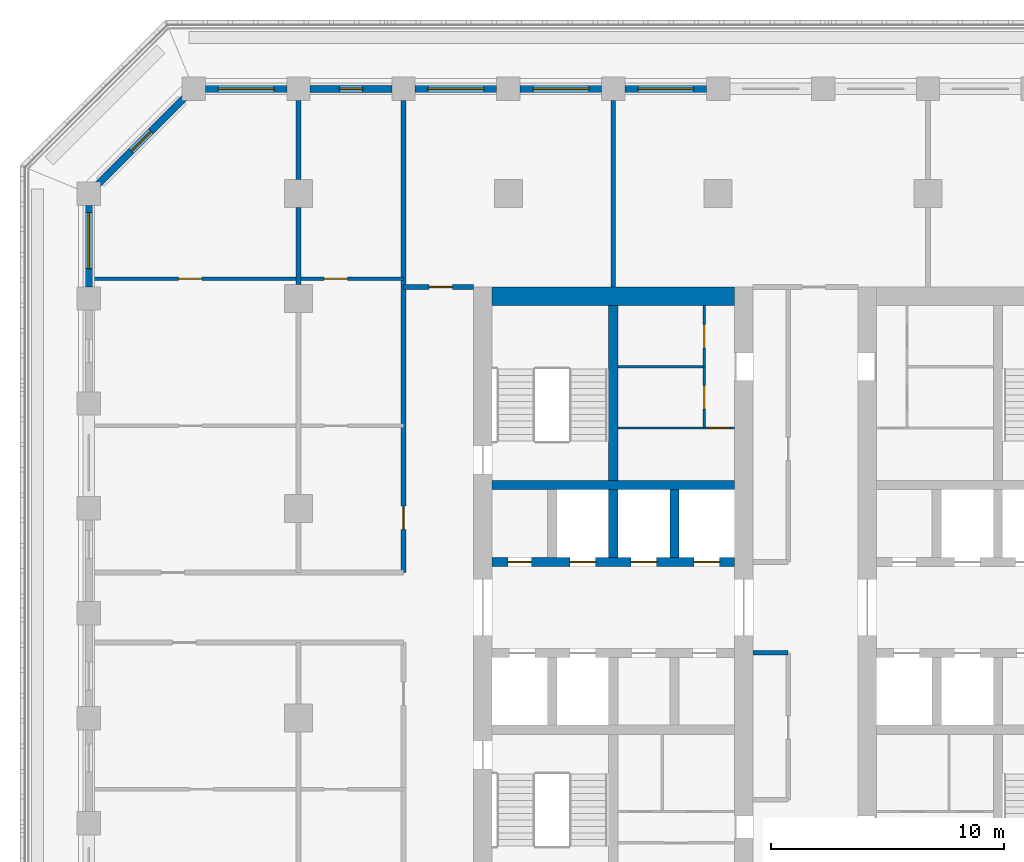
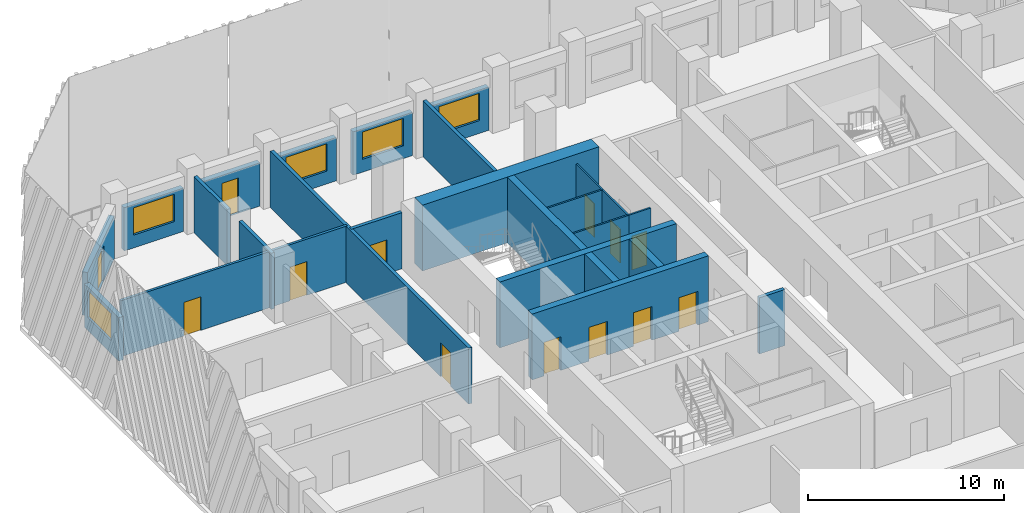
# One storey, part 6 of 18: 25 walls, 13 doors, 5 windows, 18 openings.
"""IFC4 building model written with IfcOpenShell, lengths in metres."""

import ifcopenshell
import ifcopenshell.guid

model = None  # the IFC model being written
_history = None  # IfcOwnerHistory: only IFC2X3 demands one
_inside = {}  # id of a spatial element -> (the spatial element, [elements in it])
_under = {}  # id of a project, library or spatial element -> (it, [spatial elements below it])
_declared = {}  # id of a project -> (the project, [libraries it declares])
_typed = {}  # id of a type object -> (the type object, [elements of that type])
_made_of = {}  # id of a material, layer set ... -> (it, [elements and type objects made of it])


def new_model(schema):
    """Start an empty IFC model of exactly this schema.

    Asked for "IFC4X3", IfcOpenShell would pick the latest addendum, in which some entities
    have other attributes; the version numbers below select the first issue.
    IFC2X3 requires an IfcOwnerHistory on every rooted entity: one is made here for all.
    """
    global model, _history
    if schema == "IFC4X3":
        model = ifcopenshell.file(schema_version=(4, 3, 0, 0))
    else:
        model = ifcopenshell.file(schema=schema)
    _inside.clear()
    _under.clear()
    _declared.clear()
    _typed.clear()
    _made_of.clear()
    _history = None
    if model.schema == "IFC2X3":
        org = make("IfcOrganization", Name="unknown")
        user = make(
            "IfcPersonAndOrganization",
            ThePerson=make("IfcPerson", FamilyName="unknown"),
            TheOrganization=org,
        )
        app = make(
            "IfcApplication",
            ApplicationDeveloper=org,
            Version="unknown",
            ApplicationFullName="unknown",
            ApplicationIdentifier="unknown",
        )
        _history = make(
            "IfcOwnerHistory",
            OwningUser=user,
            OwningApplication=app,
            ChangeAction="ADDED",
            CreationDate=0,
        )
    return model


def make(cls, **values):
    """One entity of the class cls with the attributes given. An attribute that is None is left unset."""
    return model.create_entity(
        cls, **{name: value for name, value in values.items() if value is not None}
    )


def rooted(cls, **values):
    """An entity with a GlobalId (a new one), such as an element, a storey or a relation."""
    return make(cls, GlobalId=ifcopenshell.guid.new(), OwnerHistory=_history, **values)


def si_unit(unit_type, name, prefix=None):
    """IfcSIUnit, for example si_unit("LENGTHUNIT", "METRE", prefix="MILLI")."""
    return make("IfcSIUnit", UnitType=unit_type, Prefix=prefix, Name=name)


def assignment(units):
    """IfcUnitAssignment: the units of a project."""
    return None if units is None else make("IfcUnitAssignment", Units=units)


def point(xyz):
    """IfcCartesianPoint."""
    return None if xyz is None else make("IfcCartesianPoint", Coordinates=xyz)


def direction(xyz):
    """IfcDirection."""
    return None if xyz is None else make("IfcDirection", DirectionRatios=xyz)


def frame(location, z_axis=None, x_axis=None):
    """IfcAxis2Placement3D, a coordinate frame: its origin and axes. An axis left out is left unset."""
    return make(
        "IfcAxis2Placement3D",
        Location=point(location),
        Axis=direction(z_axis),
        RefDirection=direction(x_axis),
    )


def frame_2d(location, x_axis=None):
    """IfcAxis2Placement2D, a coordinate frame in the plane: its origin and x axis."""
    return make(
        "IfcAxis2Placement2D", Location=point(location), RefDirection=direction(x_axis)
    )


def origin():
    """The frame at (0, 0, 0) with its axes left unset."""
    return frame((0.0, 0.0, 0.0))


def place(relative_to, where):
    """IfcLocalPlacement: puts the frame where relative to a parent placement (None: the world)."""
    return make(
        "IfcLocalPlacement", PlacementRelTo=relative_to, RelativePlacement=where
    )


def context(
    kind, dimensions, precision=None, world=None, true_north=None, identifier=None
):
    """IfcGeometricRepresentationContext, for example the 3D "Model" context."""
    return make(
        "IfcGeometricRepresentationContext",
        ContextIdentifier=identifier,
        ContextType=kind,
        CoordinateSpaceDimension=dimensions,
        Precision=precision,
        WorldCoordinateSystem=world,
        TrueNorth=true_north,
    )


def subcontext(parent, identifier, kind, view, scale=None):
    """IfcGeometricRepresentationSubContext, for example "Body" below "Model"."""
    return make(
        "IfcGeometricRepresentationSubContext",
        ContextIdentifier=identifier,
        ContextType=kind,
        ParentContext=parent,
        TargetScale=scale,
        TargetView=view,
    )


def project(units=None, contexts=None):
    """IfcProject with its units and contexts."""
    return rooted(
        "IfcProject",
        Name="project",
        RepresentationContexts=contexts,
        UnitsInContext=assignment(units),
    )


def spatial(cls, under=None, at=None, **own):
    """A site, building, storey or space (cls), placed at a placement, below another one or the project."""
    s = rooted(cls, ObjectPlacement=at, **own)
    if under is not None:
        _under.setdefault(under.id(), (under, []))[1].append(s)
    return s


def profile(cls, at=None, kind="AREA", **sizes):
    """A parametric profile (cls). Its sizes go by their IFC names, for example OverallWidth=200.0."""
    return make(cls, ProfileType=kind, Position=at, **sizes)


def rectangle(**sizes):
    """IfcRectangleProfileDef."""
    return profile("IfcRectangleProfileDef", **sizes)


def extrude(swept, where, along, depth):
    """IfcExtrudedAreaSolid: the profile swept, set in the frame where, extruded along a direction by depth."""
    return make(
        "IfcExtrudedAreaSolid",
        SweptArea=swept,
        Position=where,
        ExtrudedDirection=direction(along),
        Depth=depth,
    )


def shape(context_of_items, identifier, shape_type, items):
    """IfcShapeRepresentation: the items that make up one representation, for example the "Body"."""
    return make(
        "IfcShapeRepresentation",
        ContextOfItems=context_of_items,
        RepresentationIdentifier=identifier,
        RepresentationType=shape_type,
        Items=items,
    )


def material(Name=None, Category=None):
    """IfcMaterial."""
    return make("IfcMaterial", Name=Name, Category=Category)


def layer(
    of_material, thickness, ventilated=None, Name=None, Category=None, Priority=None
):
    """IfcMaterialLayer: one layer of a wall or slab, of a material (None: an air gap)."""
    return make(
        "IfcMaterialLayer",
        Material=of_material,
        LayerThickness=thickness,
        IsVentilated=ventilated,
        Name=Name,
        Category=Category,
        Priority=Priority,
    )


def layer_set(layers, Name=None):
    """IfcMaterialLayerSet."""
    return make("IfcMaterialLayerSet", MaterialLayers=layers, LayerSetName=Name)


def made_of(thing, what):
    """Note that an element or type object is made of a material, layer set ...; save() writes the relation."""
    if what is not None:
        _made_of.setdefault(what.id(), (what, []))[1].append(thing)
    return thing


def type_object(cls, material=None, **own):
    """A type object (cls), such as IfcWallType, which elements share."""
    return made_of(rooted(cls, **own), material)


def element(
    cls,
    number,
    at=None,
    inside=None,
    cuts=None,
    type_object=None,
    material=None,
    context=None,
    identifier="Body",
    shape_type=None,
    held_by="IfcProductDefinitionShape",
    body=None,
    shapes=None,
    **own,
):
    """One element of the class cls, such as IfcWall. Its Tag is "e" and its number.

    at: its placement. inside: the storey or other place that contains it. cuts: it is an
    opening in that element (IfcRelVoidsElement). A single representation is given by context,
    identifier, shape_type and body (its items); several are given by shapes. held_by: the class
    of the entity that holds the representations. save() writes the other relations.
    """
    e = rooted(cls, Tag="e%d" % number, ObjectPlacement=at, **own)
    if body is not None:
        shapes = [shape(context, identifier, shape_type, body)]
    if shapes is not None:
        e.Representation = make(held_by, Representations=shapes)
    if inside is not None:
        _inside.setdefault(inside.id(), (inside, []))[1].append(e)
    if cuts is not None:
        rooted(
            "IfcRelVoidsElement", RelatingBuildingElement=cuts, RelatedOpeningElement=e
        )
    if type_object is not None:
        _typed.setdefault(type_object.id(), (type_object, []))[1].append(e)
    return made_of(e, material)


def fill(opening, filler):
    """IfcRelFillsElement: the door or window that sits in an opening."""
    return rooted(
        "IfcRelFillsElement",
        RelatingOpeningElement=opening,
        RelatedBuildingElement=filler,
    )


def aggregate(whole, parts):
    """IfcRelAggregates: a whole, such as a stair, and the parts it consists of."""
    return rooted("IfcRelAggregates", RelatingObject=whole, RelatedObjects=parts)


def save(model, path):
    """Write the relations noted so far, then the file.

    IfcRelAggregates (storeys below a building ...), IfcRelContainedInSpatialStructure (elements
    in a storey), IfcRelDefinesByType, IfcRelAssociatesMaterial and IfcRelDeclares: one each for
    every whole, place, type object, material and project.
    """
    for whole, parts in _under.values():
        aggregate(whole, parts)
    for where, things in _inside.values():
        rooted(
            "IfcRelContainedInSpatialStructure",
            RelatedElements=things,
            RelatingStructure=where,
        )
    for kind, things in _typed.values():
        rooted("IfcRelDefinesByType", RelatedObjects=things, RelatingType=kind)
    for what, things in _made_of.values():
        rooted("IfcRelAssociatesMaterial", RelatedObjects=things, RelatingMaterial=what)
    for by, libraries in _declared.values():
        rooted("IfcRelDeclares", RelatingContext=by, RelatedDefinitions=libraries)
    model.write(path)


model = new_model("IFC4")

# Units and contexts
model_context = context("Model", 3, precision=1e-05, world=origin(), true_north=direction((0.0, 1.0)))
body_context = subcontext(model_context, "Body", "Model", "MODEL_VIEW")
ifc_project = project(units=[si_unit("LENGTHUNIT", "METRE"), si_unit("AREAUNIT", "SQUARE_METRE"), si_unit("VOLUMEUNIT", "CUBIC_METRE"), si_unit("PLANEANGLEUNIT", "RADIAN"), si_unit("MASSUNIT", "GRAM", prefix="KILO")], contexts=[model_context])

# Site, building, storey
site_placement = place(None, origin())
site = spatial("IfcSite", under=ifc_project, at=site_placement, CompositionType="ELEMENT")
building_placement = place(site_placement, origin())
building = spatial("IfcBuilding", under=site, at=building_placement, Name="Corbel Stack Research Tower", CompositionType="ELEMENT")
storey_placement = place(building_placement, frame((0.0, 0.0, 181.39990234375)))
storey = spatial("IfcBuildingStorey", under=building, at=storey_placement, Name="L41", CompositionType="ELEMENT", Elevation=181.39990234375)

# Wall, openings, doors
ifc_material_1 = material(Name="Concrete C60/75", Category="concrete")
ifc_layer_1 = layer(ifc_material_1, 0.39990234375)
ifc_layer_set_1 = layer_set([ifc_layer_1], Name="Concrete C60/75")
wall_type_1 = type_object("IfcWallType", Name="CW-400-60", PredefinedType="SHEAR", material=ifc_layer_set_1)
wall_1_placement = place(storey_placement, frame((-9.699951171875, 6.699951171875, 0.0), z_axis=(0.0, 0.0, 1.0), x_axis=(1.0, 0.0, 0.0)))
wall_1 = element("IfcWall", 1, at=wall_1_placement, inside=storey, type_object=wall_type_1, Name="West core wall, lobby north L41", PredefinedType="SHEAR", context=body_context, shape_type="SweptSolid", body=[
    extrude(rectangle(XDim=10.39990234375, YDim=0.39990234375, at=frame_2d((5.199951171875, 0.0))), origin(), (0.0, 0.0, 1.0), 4.10009765625),
])
opening_1_placement = place(wall_1_placement, frame((3.33740234375, 0.0, 0.0)))
opening_1 = element("IfcOpeningElement", 2, at=opening_1_placement, cuts=wall_1, Name="Opening LD-HR1", PredefinedType="OPENING", context=body_context, shape_type="SweptSolid", body=[
    extrude(rectangle(XDim=1.10009765625, YDim=2.10009765625, at=frame_2d((0.550048828125, 1.050048828125))), frame((0.0, 0.2099609375, 0.0), z_axis=(0.0, -1.0, 0.0), x_axis=(1.0, 0.0, 0.0)), (0.0, 0.0, 1.0), 0.419921875),
])
opening_2_placement = place(wall_1_placement, frame((5.96240234375, 0.0, 0.0)))
opening_2 = element("IfcOpeningElement", 3, at=opening_2_placement, cuts=wall_1, Name="Opening LD-HR2", PredefinedType="OPENING", context=body_context, shape_type="SweptSolid", body=[
    extrude(rectangle(XDim=1.10009765625, YDim=2.10009765625, at=frame_2d((0.550048828125, 1.050048828125))), frame((0.0, 0.2099609375, 0.0), z_axis=(0.0, -1.0, 0.0), x_axis=(1.0, 0.0, 0.0)), (0.0, 0.0, 1.0), 0.419921875),
])
opening_3_placement = place(wall_1_placement, frame((8.66259765625, 0.0, 0.0)))
opening_3 = element("IfcOpeningElement", 4, at=opening_3_placement, cuts=wall_1, Name="Opening LD-HR3", PredefinedType="OPENING", context=body_context, shape_type="SweptSolid", body=[
    extrude(rectangle(XDim=1.10009765625, YDim=2.10009765625, at=frame_2d((0.550048828125, 1.050048828125))), frame((0.0, 0.2099609375, 0.0), z_axis=(0.0, -1.0, 0.0), x_axis=(1.0, 0.0, 0.0)), (0.0, 0.0, 1.0), 0.419921875),
])
opening_4_placement = place(wall_1_placement, frame((0.6875, 0.0, 0.0)))
opening_4 = element("IfcOpeningElement", 5, at=opening_4_placement, cuts=wall_1, Name="Opening CR-W24-N1", PredefinedType="OPENING", context=body_context, shape_type="SweptSolid", body=[
    extrude(rectangle(XDim=1.0, YDim=2.10009765625, at=frame_2d((0.5, 1.050048828125))), frame((0.0, 0.2099609375, 0.0), z_axis=(0.0, -1.0, 0.0), x_axis=(1.0, 0.0, 0.0)), (0.0, 0.0, 1.0), 0.419921875),
])
ifc_material_2 = material(Name="Stainless steel landing door", Category="steel")
door_type_1 = type_object("IfcDoorType", Name="Lift landing door 1100 x 2100", OperationType="DOUBLE_DOOR_SLIDING", PredefinedType="DOOR", material=ifc_material_2)
door_1_placement = place(opening_1_placement, origin())
door_1 = element("IfcDoor", 6, at=door_1_placement, inside=storey, type_object=door_type_1, Name="Landing door HR1", OperationType="DOUBLE_DOOR_SLIDING", OverallHeight=2.10009765625, OverallWidth=1.10009765625, PredefinedType="DOOR", context=body_context, shape_type="SweptSolid", body=[
    extrude(rectangle(XDim=1.10009765625, YDim=2.10009765625, at=frame_2d((0.550048828125, 1.050048828125))), frame((0.0, 0.02490234375, 0.0), z_axis=(0.0, -1.0, 0.0), x_axis=(1.0, 0.0, 0.0)), (0.0, 0.0, 1.0), 0.050048828125),
])
fill(opening_1, door_1)
door_2_placement = place(opening_2_placement, origin())
door_2 = element("IfcDoor", 7, at=door_2_placement, inside=storey, type_object=door_type_1, Name="Landing door HR2", OperationType="DOUBLE_DOOR_SLIDING", OverallHeight=2.10009765625, OverallWidth=1.10009765625, PredefinedType="DOOR", context=body_context, shape_type="SweptSolid", body=[
    extrude(rectangle(XDim=1.10009765625, YDim=2.10009765625, at=frame_2d((0.550048828125, 1.050048828125))), frame((0.0, 0.02490234375, 0.0), z_axis=(0.0, -1.0, 0.0), x_axis=(1.0, 0.0, 0.0)), (0.0, 0.0, 1.0), 0.050048828125),
])
fill(opening_2, door_2)
door_3_placement = place(opening_3_placement, origin())
door_3 = element("IfcDoor", 8, at=door_3_placement, inside=storey, type_object=door_type_1, Name="Landing door HR3", OperationType="DOUBLE_DOOR_SLIDING", OverallHeight=2.10009765625, OverallWidth=1.10009765625, PredefinedType="DOOR", context=body_context, shape_type="SweptSolid", body=[
    extrude(rectangle(XDim=1.10009765625, YDim=2.10009765625, at=frame_2d((0.550048828125, 1.050048828125))), frame((0.0, 0.02490234375, 0.0), z_axis=(0.0, -1.0, 0.0), x_axis=(1.0, 0.0, 0.0)), (0.0, 0.0, 1.0), 0.050048828125),
])
fill(opening_3, door_3)
ifc_material_3 = material(Name="Painted steel door", Category="steel")
door_type_2 = type_object("IfcDoorType", Name="Service door 1000 x 2100 FD60 left hand", OperationType="SINGLE_SWING_LEFT", PredefinedType="DOOR", material=ifc_material_3)
door_4_placement = place(opening_4_placement, origin())
door_4 = element("IfcDoor", 9, at=door_4_placement, inside=storey, type_object=door_type_2, Name="Cleaner's store door W core", OperationType="SINGLE_SWING_LEFT", OverallHeight=2.10009765625, OverallWidth=1.0, PredefinedType="DOOR", context=body_context, shape_type="SweptSolid", body=[
    extrude(rectangle(XDim=1.0, YDim=2.10009765625, at=frame_2d((0.5, 1.050048828125))), frame((0.0, 0.02490234375, 0.0), z_axis=(0.0, -1.0, 0.0), x_axis=(1.0, 0.0, 0.0)), (0.0, 0.0, 1.0), 0.050048828125),
])
fill(opening_4, door_4)

# Walls
wall_2_placement = place(storey_placement, frame((-9.699951171875, 10.0, 0.0), z_axis=(0.0, 0.0, 1.0), x_axis=(1.0, 0.0, 0.0)))
element("IfcWall", 10, at=wall_2_placement, inside=storey, type_object=wall_type_1, Name="West core wall, north row back L41", PredefinedType="SHEAR", context=body_context, shape_type="SweptSolid", body=[
    extrude(rectangle(XDim=10.39990234375, YDim=0.39990234375, at=frame_2d((5.199951171875, 0.0))), origin(), (0.0, 0.0, 1.0), 4.10009765625),
])
for number, where, z_axis, x_axis, name in (
    (11, (-4.5, 6.89990234375, 0.0), (0.0, 0.0, 1.0), (0.0, 1.0, 0.0), "West core wall, north shaft 2 L41"),
    (12, (-1.875, 6.89990234375, 0.0), (0.0, 0.0, 1.0), (0.0, 1.0, 0.0), "West core wall, north shaft 3 L41"),
):
    element("IfcWall", number, at=place(storey_placement, frame(where, z_axis=z_axis, x_axis=x_axis)), inside=storey, type_object=wall_type_1, Name=name, PredefinedType="SHEAR", context=body_context, shape_type="SweptSolid", body=[
        extrude(rectangle(XDim=2.900146484375, YDim=0.39990234375, at=frame_2d((1.4501953125, 0.0))), origin(), (0.0, 0.0, 1.0), 4.10009765625),
    ])
wall_3_placement = place(storey_placement, frame((-4.5, 10.199951171875, 0.0), z_axis=(0.0, 0.0, 1.0), x_axis=(0.0, 1.0, 0.0)))
element("IfcWall", 13, at=wall_3_placement, inside=storey, type_object=wall_type_1, Name="West core wall, north stair and riser L41", PredefinedType="SHEAR", context=body_context, shape_type="SweptSolid", body=[
    extrude(rectangle(XDim=7.5, YDim=0.39990234375, at=frame_2d((3.75, 0.0))), origin(), (0.0, 0.0, 1.0), 4.10009765625),
])
ifc_material_4 = material(Name="Concrete C60/75", Category="concrete")
ifc_layer_2 = layer(ifc_material_4, 0.800048828125)
ifc_layer_set_2 = layer_set([ifc_layer_2], Name="Concrete C60/75")
wall_type_2 = type_object("IfcWallType", Name="CW-800-60", PredefinedType="SHEAR", material=ifc_layer_set_2)
wall_4_placement = place(storey_placement, frame((-9.699951171875, 18.10009765625, 0.0), z_axis=(0.0, 0.0, 1.0), x_axis=(1.0, 0.0, 0.0)))
element("IfcWall", 14, at=wall_4_placement, inside=storey, type_object=wall_type_2, Name="West core wall, north end L41", PredefinedType="SHEAR", context=body_context, shape_type="SweptSolid", body=[
    extrude(rectangle(XDim=10.39990234375, YDim=0.800048828125, at=frame_2d((5.199951171875, 0.0))), origin(), (0.0, 0.0, 1.0), 4.10009765625),
])

# Wall, opening, door
ifc_material_5 = material(Name="Gypsum board")
ifc_layer_3 = layer(ifc_material_5, 0.10009765625)
ifc_layer_set_3 = layer_set([ifc_layer_3], Name="Gypsum board")
wall_type_3 = type_object("IfcWallType", Name="Core partition 100", PredefinedType="PARTITIONING", material=ifc_layer_set_3)
wall_5_placement = place(storey_placement, frame((-0.60009765625, 12.449951171875, 0.0), z_axis=(0.0, 0.0, 1.0), x_axis=(1.0, 0.0, 0.0)))
wall_5 = element("IfcWall", 15, at=wall_5_placement, inside=storey, type_object=wall_type_3, Name="Core partition W", PredefinedType="PARTITIONING", context=body_context, shape_type="SweptSolid", body=[
    extrude(rectangle(XDim=1.300048828125, YDim=0.10009765625, at=frame_2d((0.64990234375, 0.0))), origin(), (0.0, 0.0, 1.0), 3.5),
])
opening_5_placement = place(wall_5_placement, frame((0.199951171875, 0.0, 0.0)))
opening_5 = element("IfcOpeningElement", 16, at=opening_5_placement, cuts=wall_5, Name="Opening CR-W24-R1-900", PredefinedType="OPENING", context=body_context, shape_type="SweptSolid", body=[
    extrude(rectangle(XDim=0.89990234375, YDim=2.10009765625, at=frame_2d((0.449951171875, 1.050048828125))), frame((0.0, 0.06005859375, 0.0), z_axis=(0.0, -1.0, 0.0), x_axis=(1.0, 0.0, 0.0)), (0.0, 0.0, 1.0), 0.1201171875),
])
ifc_material_6 = material(Name="Painted steel door", Category="steel")
door_type_3 = type_object("IfcDoorType", Name="Riser door 900 x 2100 FD60 left hand", OperationType="SINGLE_SWING_LEFT", PredefinedType="DOOR", material=ifc_material_6)
door_5_placement = place(opening_5_placement, origin())
door_5 = element("IfcDoor", 17, at=door_5_placement, inside=storey, type_object=door_type_3, Name="Electrical riser door W core", OperationType="SINGLE_SWING_LEFT", OverallHeight=2.10009765625, OverallWidth=0.89990234375, PredefinedType="DOOR", context=body_context, shape_type="SweptSolid", body=[
    extrude(rectangle(XDim=0.89990234375, YDim=2.10009765625, at=frame_2d((0.449951171875, 1.050048828125))), frame((0.0, 0.02490234375, 0.0), z_axis=(0.0, -1.0, 0.0), x_axis=(1.0, 0.0, 0.0)), (0.0, 0.0, 1.0), 0.050048828125),
])
fill(opening_5, door_5)

# Wall
wall_6_placement = place(storey_placement, frame((-4.300048828125, 12.449951171875, 0.0), z_axis=(0.0, 0.0, 1.0), x_axis=(1.0, 0.0, 0.0)))
element("IfcWall", 18, at=wall_6_placement, inside=storey, type_object=wall_type_3, Name="Core partition W", PredefinedType="PARTITIONING", context=body_context, shape_type="SweptSolid", body=[
    extrude(rectangle(XDim=3.699951171875, YDim=0.10009765625, at=frame_2d((1.85009765625, 0.0))), origin(), (0.0, 0.0, 1.0), 3.5),
])

# Wall, opening, door
wall_7_placement = place(storey_placement, frame((-0.60009765625, 12.449951171875, 0.0), z_axis=(0.0, 0.0, 1.0), x_axis=(0.0, 1.0, 0.0)))
wall_7 = element("IfcWall", 19, at=wall_7_placement, inside=storey, type_object=wall_type_3, Name="Core partition W", PredefinedType="PARTITIONING", context=body_context, shape_type="SweptSolid", body=[
    extrude(rectangle(XDim=2.625, YDim=0.10009765625, at=frame_2d((1.3125, 0.0))), origin(), (0.0, 0.0, 1.0), 3.5),
])
opening_6_placement = place(wall_7_placement, frame((0.8125, 0.0, 0.0)))
opening_6 = element("IfcOpeningElement", 20, at=opening_6_placement, cuts=wall_7, Name="Opening CR-W24-R3-1000", PredefinedType="OPENING", context=body_context, shape_type="SweptSolid", body=[
    extrude(rectangle(XDim=1.0, YDim=2.10009765625, at=frame_2d((0.5, 1.050048828125))), frame((0.0, 0.06005859375, 0.0), z_axis=(0.0, -1.0, 0.0), x_axis=(1.0, 0.0, 0.0)), (0.0, 0.0, 1.0), 0.1201171875),
])
ifc_material_7 = material(Name="Painted steel door", Category="steel")
door_type_4 = type_object("IfcDoorType", Name="Service door 1000 x 2100 FD30 left hand", OperationType="SINGLE_SWING_LEFT", PredefinedType="DOOR", material=ifc_material_7)
door_6_placement = place(opening_6_placement, origin())
door_6 = element("IfcDoor", 21, at=door_6_placement, inside=storey, type_object=door_type_4, Name="Pantry door W core", OperationType="SINGLE_SWING_LEFT", OverallHeight=2.10009765625, OverallWidth=1.0, PredefinedType="DOOR", context=body_context, shape_type="SweptSolid", body=[
    extrude(rectangle(XDim=1.0, YDim=2.10009765625, at=frame_2d((0.5, 1.050048828125))), frame((0.0, 0.02490234375, 0.0), z_axis=(0.0, -1.0, 0.0), x_axis=(1.0, 0.0, 0.0)), (0.0, 0.0, 1.0), 0.050048828125),
])
fill(opening_6, door_6)

wall_8_placement = place(storey_placement, frame((-0.60009765625, 15.074951171875, 0.0), z_axis=(0.0, 0.0, 1.0), x_axis=(0.0, 1.0, 0.0)))
wall_8 = element("IfcWall", 22, at=wall_8_placement, inside=storey, type_object=wall_type_3, Name="Core partition W", PredefinedType="PARTITIONING", context=body_context, shape_type="SweptSolid", body=[
    extrude(rectangle(XDim=2.625, YDim=0.10009765625, at=frame_2d((1.3125, 0.0))), origin(), (0.0, 0.0, 1.0), 3.5),
])
opening_7_placement = place(wall_8_placement, frame((0.8125, 0.0, 0.0)))
opening_7 = element("IfcOpeningElement", 23, at=opening_7_placement, cuts=wall_8, Name="Opening CR-W24-R4-1000", PredefinedType="OPENING", context=body_context, shape_type="SweptSolid", body=[
    extrude(rectangle(XDim=1.0, YDim=2.10009765625, at=frame_2d((0.5, 1.050048828125))), frame((0.0, 0.06005859375, 0.0), z_axis=(0.0, -1.0, 0.0), x_axis=(1.0, 0.0, 0.0)), (0.0, 0.0, 1.0), 0.1201171875),
])
ifc_material_8 = material(Name="Painted steel door", Category="steel")
door_type_5 = type_object("IfcDoorType", Name="Service door 1000 x 2100 FD30 right hand", OperationType="SINGLE_SWING_RIGHT", PredefinedType="DOOR", material=ifc_material_8)
door_7_placement = place(opening_7_placement, origin())
door_7 = element("IfcDoor", 24, at=door_7_placement, inside=storey, type_object=door_type_5, Name="Copy and supply store door W core", OperationType="SINGLE_SWING_RIGHT", OverallHeight=2.10009765625, OverallWidth=1.0, PredefinedType="DOOR", context=body_context, shape_type="SweptSolid", body=[
    extrude(rectangle(XDim=1.0, YDim=2.10009765625, at=frame_2d((0.5, 1.050048828125))), frame((0.0, 0.02490234375, 0.0), z_axis=(0.0, -1.0, 0.0), x_axis=(1.0, 0.0, 0.0)), (0.0, 0.0, 1.0), 0.050048828125),
])
fill(opening_7, door_7)

# Walls
wall_9_placement = place(storey_placement, frame((-4.300048828125, 15.074951171875, 0.0), z_axis=(0.0, 0.0, 1.0), x_axis=(1.0, 0.0, 0.0)))
element("IfcWall", 25, at=wall_9_placement, inside=storey, type_object=wall_type_3, Name="Core partition W", PredefinedType="PARTITIONING", context=body_context, shape_type="SweptSolid", body=[
    extrude(rectangle(XDim=3.699951171875, YDim=0.10009765625, at=frame_2d((1.85009765625, 0.0))), origin(), (0.0, 0.0, 1.0), 3.5),
])
ifc_material_9 = material(Name="Fire-rated gypsum board partition on steel studs", Category="steel")
ifc_layer_4 = layer(ifc_material_9, 0.199951171875)
ifc_layer_set_4 = layer_set([ifc_layer_4], Name="Fire-rated gypsum board partition on steel studs")
wall_type_4 = type_object("IfcWallType", Name="Fire-rated partition 200 EI 60", PredefinedType="PARTITIONING", material=ifc_layer_set_4)
wall_10_placement = place(storey_placement, frame((-18.0, 18.60009765625, 0.0), z_axis=(0.0, 0.0, 1.0), x_axis=(0.0, 1.0, 0.0)))
element("IfcWall", 26, at=wall_10_placement, inside=storey, type_object=wall_type_4, Name="Partition L41-007", PredefinedType="PARTITIONING", context=body_context, shape_type="SweptSolid", body=[
    extrude(rectangle(XDim=3.2998046875, YDim=0.199951171875, at=frame_2d((1.64990234375, 0.0))), origin(), (0.0, 0.0, 1.0), 3.5),
])
wall_11_placement = place(storey_placement, frame((-18.0, 23.10009765625, 0.0), z_axis=(0.0, 0.0, 1.0), x_axis=(0.0, 1.0, 0.0)))
element("IfcWall", 27, at=wall_11_placement, inside=storey, type_object=wall_type_4, Name="Partition L41-008", PredefinedType="PARTITIONING", context=body_context, shape_type="SweptSolid", body=[
    extrude(rectangle(XDim=3.39990234375, YDim=0.199951171875, at=frame_2d((1.699951171875, 0.0))), origin(), (0.0, 0.0, 1.0), 3.5),
])

# Wall, opening, door
wall_12_placement = place(storey_placement, frame((-13.5, 6.25, 0.0), z_axis=(0.0, 0.0, 1.0), x_axis=(0.0, 1.0, 0.0)))
wall_12 = element("IfcWall", 28, at=wall_12_placement, inside=storey, type_object=wall_type_4, Name="Partition L41-010", PredefinedType="PARTITIONING", context=body_context, shape_type="SweptSolid", body=[
    extrude(rectangle(XDim=20.25, YDim=0.199951171875, at=frame_2d((10.125, 0.0))), origin(), (0.0, 0.0, 1.0), 3.5),
])
opening_8_placement = place(wall_12_placement, frame((1.85009765625, 0.0, 0.0)))
opening_8 = element("IfcOpeningElement", 29, at=opening_8_placement, cuts=wall_12, Name="Opening B5V2-008", PredefinedType="OPENING", context=body_context, shape_type="SweptSolid", body=[
    extrude(rectangle(XDim=1.0, YDim=2.10009765625, at=frame_2d((0.5, 1.050048828125))), frame((0.0, 0.10986328125, 0.0), z_axis=(0.0, -1.0, 0.0), x_axis=(1.0, 0.0, 0.0)), (0.0, 0.0, 1.0), 0.219970703125),
])
ifc_material_10 = material(Name="Painted steel fire door", Category="steel")
door_type_6 = type_object("IfcDoorType", Name="Fire door FD30S 1000 x 2100", OperationType="NOTDEFINED", PredefinedType="DOOR", material=ifc_material_10)
door_8_placement = place(opening_8_placement, origin())
door_8 = element("IfcDoor", 30, at=door_8_placement, inside=storey, type_object=door_type_6, Name="Door B5V2-008", OperationType="SINGLE_SWING_LEFT", OverallHeight=2.10009765625, OverallWidth=1.0, PredefinedType="DOOR", context=body_context, shape_type="SweptSolid", body=[
    extrude(rectangle(XDim=1.0, YDim=2.10009765625, at=frame_2d((0.5, 1.050048828125))), frame((0.0, 0.02490234375, 0.0), z_axis=(0.0, -1.0, 0.0), x_axis=(1.0, 0.0, 0.0)), (0.0, 0.0, 1.0), 0.050048828125),
])
fill(opening_8, door_8)

# Walls
wall_13_placement = place(storey_placement, frame((-4.5, 18.5, 0.0), z_axis=(0.0, 0.0, 1.0), x_axis=(0.0, 1.0, 0.0)))
element("IfcWall", 31, at=wall_13_placement, inside=storey, type_object=wall_type_4, Name="Partition L41-012", PredefinedType="PARTITIONING", context=body_context, shape_type="SweptSolid", body=[
    extrude(rectangle(XDim=8.0, YDim=0.199951171875, at=frame_2d((4.0, 0.0))), origin(), (0.0, 0.0, 1.0), 3.5),
])
wall_14_placement = place(storey_placement, frame((1.5, 2.800048828125, 0.0), z_axis=(0.0, 0.0, 1.0), x_axis=(1.0, 0.0, 0.0)))
element("IfcWall", 32, at=wall_14_placement, inside=storey, type_object=wall_type_4, Name="Partition L41-033", PredefinedType="PARTITIONING", context=body_context, shape_type="SweptSolid", body=[
    extrude(rectangle(XDim=1.5, YDim=0.199951171875, at=frame_2d((0.75, 0.0))), origin(), (0.0, 0.0, 1.0), 3.5),
])

# Wall, opening, door
wall_15_placement = place(storey_placement, frame((-13.5, 18.5, 0.0), z_axis=(0.0, 0.0, 1.0), x_axis=(1.0, 0.0, 0.0)))
wall_15 = element("IfcWall", 33, at=wall_15_placement, inside=storey, type_object=wall_type_4, Name="Partition L41-041", PredefinedType="PARTITIONING", context=body_context, shape_type="SweptSolid", body=[
    extrude(rectangle(XDim=3.0, YDim=0.199951171875, at=frame_2d((1.5, 0.0))), origin(), (0.0, 0.0, 1.0), 3.5),
])
opening_9_placement = place(wall_15_placement, frame((1.10009765625, 0.0, 0.0)))
opening_9 = element("IfcOpeningElement", 34, at=opening_9_placement, cuts=wall_15, Name="Opening B5V2-025", PredefinedType="OPENING", context=body_context, shape_type="SweptSolid", body=[
    extrude(rectangle(XDim=1.0, YDim=2.10009765625, at=frame_2d((0.5, 1.050048828125))), frame((0.0, 0.10986328125, 0.0), z_axis=(0.0, -1.0, 0.0), x_axis=(1.0, 0.0, 0.0)), (0.0, 0.0, 1.0), 0.219970703125),
])
door_9_placement = place(opening_9_placement, origin())
door_9 = element("IfcDoor", 35, at=door_9_placement, inside=storey, type_object=door_type_6, Name="Door B5V2-025", OperationType="SINGLE_SWING_RIGHT", OverallHeight=2.10009765625, OverallWidth=1.0, PredefinedType="DOOR", context=body_context, shape_type="SweptSolid", body=[
    extrude(rectangle(XDim=1.0, YDim=2.10009765625, at=frame_2d((0.5, 1.050048828125))), frame((0.0, 0.02490234375, 0.0), z_axis=(0.0, -1.0, 0.0), x_axis=(1.0, 0.0, 0.0)), (0.0, 0.0, 1.0), 0.050048828125),
])
fill(opening_9, door_9)

# Wall, openings, doors
ifc_material_11 = material(Name="Gypsum board partition on steel studs", Category="steel")
ifc_layer_5 = layer(ifc_material_11, 0.14990234375)
ifc_layer_set_5 = layer_set([ifc_layer_5], Name="Gypsum board partition on steel studs")
wall_type_5 = type_object("IfcWallType", Name="Partition 150", PredefinedType="PARTITIONING", material=ifc_layer_set_5)
wall_16_placement = place(storey_placement, frame((-26.85009765625, 18.85009765625, 0.0), z_axis=(0.0, 0.0, 1.0), x_axis=(1.0, 0.0, 0.0)))
wall_16 = element("IfcWall", 36, at=wall_16_placement, inside=storey, type_object=wall_type_5, Name="Partition L41-044", PredefinedType="PARTITIONING", context=body_context, shape_type="SweptSolid", body=[
    extrude(rectangle(XDim=13.35009765625, YDim=0.14990234375, at=frame_2d((6.675048828125, 0.0))), origin(), (0.0, 0.0, 1.0), 3.5),
])
opening_10_placement = place(wall_16_placement, frame((3.699951171875, 0.0, 0.0)))
opening_10 = element("IfcOpeningElement", 37, at=opening_10_placement, cuts=wall_16, Name="Opening B5V2-028", PredefinedType="OPENING", context=body_context, shape_type="SweptSolid", body=[
    extrude(rectangle(XDim=1.0, YDim=2.10009765625, at=frame_2d((0.5, 1.050048828125))), frame((0.0, 0.0849609375, 0.0), z_axis=(0.0, -1.0, 0.0), x_axis=(1.0, 0.0, 0.0)), (0.0, 0.0, 1.0), 0.169921875),
])
opening_11_placement = place(wall_16_placement, frame((9.949951171875, 0.0, 0.0)))
opening_11 = element("IfcOpeningElement", 38, at=opening_11_placement, cuts=wall_16, Name="Opening B5V2-029", PredefinedType="OPENING", context=body_context, shape_type="SweptSolid", body=[
    extrude(rectangle(XDim=1.0, YDim=2.10009765625, at=frame_2d((0.5, 1.050048828125))), frame((0.0, 0.0849609375, 0.0), z_axis=(0.0, -1.0, 0.0), x_axis=(1.0, 0.0, 0.0)), (0.0, 0.0, 1.0), 0.169921875),
])
ifc_material_12 = material(Name="Painted timber door", Category="wood")
door_type_7 = type_object("IfcDoorType", Name="Single door 1000 x 2100", OperationType="NOTDEFINED", PredefinedType="DOOR", material=ifc_material_12)
door_10_placement = place(opening_10_placement, origin())
door_10 = element("IfcDoor", 39, at=door_10_placement, inside=storey, type_object=door_type_7, Name="Door B5V2-028", OperationType="SINGLE_SWING_LEFT", OverallHeight=2.10009765625, OverallWidth=1.0, PredefinedType="DOOR", context=body_context, shape_type="SweptSolid", body=[
    extrude(rectangle(XDim=1.0, YDim=2.10009765625, at=frame_2d((0.5, 1.050048828125))), frame((0.0, 0.02490234375, 0.0), z_axis=(0.0, -1.0, 0.0), x_axis=(1.0, 0.0, 0.0)), (0.0, 0.0, 1.0), 0.050048828125),
])
fill(opening_10, door_10)
door_11_placement = place(opening_11_placement, origin())
door_11 = element("IfcDoor", 40, at=door_11_placement, inside=storey, type_object=door_type_7, Name="Door B5V2-029", OperationType="SINGLE_SWING_RIGHT", OverallHeight=2.10009765625, OverallWidth=1.0, PredefinedType="DOOR", context=body_context, shape_type="SweptSolid", body=[
    extrude(rectangle(XDim=1.0, YDim=2.10009765625, at=frame_2d((0.5, 1.050048828125))), frame((0.0, 0.02490234375, 0.0), z_axis=(0.0, -1.0, 0.0), x_axis=(1.0, 0.0, 0.0)), (0.0, 0.0, 1.0), 0.050048828125),
])
fill(opening_11, door_11)

# Wall, opening, window
ifc_material_13 = material(Name="Concrete C45/55", Category="concrete")
ifc_layer_6 = layer(ifc_material_13, 0.300048828125)
ifc_layer_set_6 = layer_set([ifc_layer_6], Name="Concrete C45/55")
wall_type_6 = type_object("IfcWallType", Name="Terracotta-faced concrete wall 300", PredefinedType="SOLIDWALL", material=ifc_layer_set_6)
wall_17_placement = place(storey_placement, frame((-4.0, 27.0, 0.0), z_axis=(0.0, 0.0, 1.0), x_axis=(1.0, 0.0, 0.0)))
wall_17 = element("IfcWall", 41, at=wall_17_placement, inside=storey, type_object=wall_type_6, Name="Facade wall L41 N06", PredefinedType="SOLIDWALL", context=body_context, shape_type="SweptSolid", body=[
    extrude(rectangle(XDim=3.5, YDim=0.300048828125, at=frame_2d((1.75, 0.0))), origin(), (0.0, 0.0, 1.0), 2.7001953125),
])
opening_12_placement = place(wall_17_placement, frame((0.550048828125, 0.0, 0.800048828125)))
opening_12 = element("IfcOpeningElement", 42, at=opening_12_placement, cuts=wall_17, Name="Opening W1", PredefinedType="OPENING", context=body_context, shape_type="SweptSolid", body=[
    extrude(rectangle(XDim=2.39990234375, YDim=1.699951171875, at=frame_2d((1.199951171875, 0.85009765625))), frame((0.0, 0.159912109375, 0.0), z_axis=(0.0, -1.0, 0.0), x_axis=(1.0, 0.0, 0.0)), (0.0, 0.0, 1.0), 0.320068359375),
])
ifc_material_14 = material(Name="Aluminium frame, clear double glazing", Category="aluminium")
window_type = type_object("IfcWindowType", Name="Window W1 2400 x 1700", PartitioningType="SINGLE_PANEL", PredefinedType="WINDOW", material=ifc_material_14)
window_1_placement = place(opening_12_placement, origin())
window_1 = element("IfcWindow", 43, at=window_1_placement, inside=storey, type_object=window_type, Name="Window W1 L41 N06", OverallHeight=1.699951171875, OverallWidth=2.39990234375, PartitioningType="SINGLE_PANEL", PredefinedType="WINDOW", context=body_context, shape_type="SweptSolid", body=[
    extrude(rectangle(XDim=2.39990234375, YDim=1.699951171875, at=frame_2d((1.199951171875, 0.85009765625))), frame((0.0, 0.030029296875, 0.0), z_axis=(0.0, -1.0, 0.0), x_axis=(1.0, 0.0, 0.0)), (0.0, 0.0, 1.0), 0.06005859375),
])
fill(opening_12, window_1)

wall_18_placement = place(storey_placement, frame((-8.5, 27.0, 0.0), z_axis=(0.0, 0.0, 1.0), x_axis=(1.0, 0.0, 0.0)))
wall_18 = element("IfcWall", 44, at=wall_18_placement, inside=storey, type_object=wall_type_6, Name="Facade wall L41 N07", PredefinedType="SOLIDWALL", context=body_context, shape_type="SweptSolid", body=[
    extrude(rectangle(XDim=3.5, YDim=0.300048828125, at=frame_2d((1.75, 0.0))), origin(), (0.0, 0.0, 1.0), 2.7001953125),
])
opening_13_placement = place(wall_18_placement, frame((0.550048828125, 0.0, 0.800048828125)))
opening_13 = element("IfcOpeningElement", 45, at=opening_13_placement, cuts=wall_18, Name="Opening W1", PredefinedType="OPENING", context=body_context, shape_type="SweptSolid", body=[
    extrude(rectangle(XDim=2.39990234375, YDim=1.699951171875, at=frame_2d((1.199951171875, 0.85009765625))), frame((0.0, 0.159912109375, 0.0), z_axis=(0.0, -1.0, 0.0), x_axis=(1.0, 0.0, 0.0)), (0.0, 0.0, 1.0), 0.320068359375),
])
window_2_placement = place(opening_13_placement, origin())
window_2 = element("IfcWindow", 46, at=window_2_placement, inside=storey, type_object=window_type, Name="Window W1 L41 N07", OverallHeight=1.699951171875, OverallWidth=2.39990234375, PartitioningType="SINGLE_PANEL", PredefinedType="WINDOW", context=body_context, shape_type="SweptSolid", body=[
    extrude(rectangle(XDim=2.39990234375, YDim=1.699951171875, at=frame_2d((1.199951171875, 0.85009765625))), frame((0.0, 0.030029296875, 0.0), z_axis=(0.0, -1.0, 0.0), x_axis=(1.0, 0.0, 0.0)), (0.0, 0.0, 1.0), 0.06005859375),
])
fill(opening_13, window_2)

wall_19_placement = place(storey_placement, frame((-13.0, 27.0, 0.0), z_axis=(0.0, 0.0, 1.0), x_axis=(1.0, 0.0, 0.0)))
wall_19 = element("IfcWall", 47, at=wall_19_placement, inside=storey, type_object=wall_type_6, Name="Facade wall L41 N08", PredefinedType="SOLIDWALL", context=body_context, shape_type="SweptSolid", body=[
    extrude(rectangle(XDim=3.5, YDim=0.300048828125, at=frame_2d((1.75, 0.0))), origin(), (0.0, 0.0, 1.0), 2.7001953125),
])
opening_14_placement = place(wall_19_placement, frame((0.550048828125, 0.0, 0.800048828125)))
opening_14 = element("IfcOpeningElement", 48, at=opening_14_placement, cuts=wall_19, Name="Opening W1", PredefinedType="OPENING", context=body_context, shape_type="SweptSolid", body=[
    extrude(rectangle(XDim=2.39990234375, YDim=1.699951171875, at=frame_2d((1.199951171875, 0.85009765625))), frame((0.0, 0.159912109375, 0.0), z_axis=(0.0, -1.0, 0.0), x_axis=(1.0, 0.0, 0.0)), (0.0, 0.0, 1.0), 0.320068359375),
])
window_3_placement = place(opening_14_placement, origin())
window_3 = element("IfcWindow", 49, at=window_3_placement, inside=storey, type_object=window_type, Name="Window W1 L41 N08", OverallHeight=1.699951171875, OverallWidth=2.39990234375, PartitioningType="SINGLE_PANEL", PredefinedType="WINDOW", context=body_context, shape_type="SweptSolid", body=[
    extrude(rectangle(XDim=2.39990234375, YDim=1.699951171875, at=frame_2d((1.199951171875, 0.85009765625))), frame((0.0, 0.030029296875, 0.0), z_axis=(0.0, -1.0, 0.0), x_axis=(1.0, 0.0, 0.0)), (0.0, 0.0, 1.0), 0.06005859375),
])
fill(opening_14, window_3)

# Wall, opening, door
wall_20_placement = place(storey_placement, frame((-17.5, 27.0, 0.0), z_axis=(0.0, 0.0, 1.0), x_axis=(1.0, 0.0, 0.0)))
wall_20 = element("IfcWall", 50, at=wall_20_placement, inside=storey, type_object=wall_type_6, Name="Facade wall L41 N09", PredefinedType="SOLIDWALL", context=body_context, shape_type="SweptSolid", body=[
    extrude(rectangle(XDim=3.5, YDim=0.300048828125, at=frame_2d((1.75, 0.0))), origin(), (0.0, 0.0, 1.0), 2.7001953125),
])
opening_15_placement = place(wall_20_placement, frame((1.25, 0.0, 0.0)))
opening_15 = element("IfcOpeningElement", 51, at=opening_15_placement, cuts=wall_20, Name="Opening L41-B08", PredefinedType="OPENING", context=body_context, shape_type="SweptSolid", body=[
    extrude(rectangle(XDim=1.0, YDim=2.199951171875, at=frame_2d((0.5, 1.10009765625))), frame((0.0, 0.159912109375, 0.0), z_axis=(0.0, -1.0, 0.0), x_axis=(1.0, 0.0, 0.0)), (0.0, 0.0, 1.0), 0.320068359375),
])
ifc_material_15 = material(Name="Aluminium frame, clear double glazing", Category="aluminium")
door_type_8 = type_object("IfcDoorType", Name="Balcony door BD1 1000 x 2200", OperationType="NOTDEFINED", PredefinedType="DOOR", material=ifc_material_15)
door_12_placement = place(opening_15_placement, origin())
door_12 = element("IfcDoor", 52, at=door_12_placement, inside=storey, type_object=door_type_8, Name="Balcony door L41-B08", OperationType="SINGLE_SWING_RIGHT", OverallHeight=2.199951171875, OverallWidth=1.0, PredefinedType="DOOR", context=body_context, shape_type="SweptSolid", body=[
    extrude(rectangle(XDim=1.0, YDim=2.199951171875, at=frame_2d((0.5, 1.10009765625))), frame((0.0, 0.02490234375, 0.0), z_axis=(0.0, -1.0, 0.0), x_axis=(1.0, 0.0, 0.0)), (0.0, 0.0, 1.0), 0.050048828125),
])
fill(opening_15, door_12)

# Wall, opening, window
wall_21_placement = place(storey_placement, frame((-22.0, 27.0, 0.0), z_axis=(0.0, 0.0, 1.0), x_axis=(1.0, 0.0, 0.0)))
wall_21 = element("IfcWall", 53, at=wall_21_placement, inside=storey, type_object=wall_type_6, Name="Facade wall L41 N10", PredefinedType="SOLIDWALL", context=body_context, shape_type="SweptSolid", body=[
    extrude(rectangle(XDim=3.5, YDim=0.300048828125, at=frame_2d((1.75, 0.0))), origin(), (0.0, 0.0, 1.0), 2.7001953125),
])
opening_16_placement = place(wall_21_placement, frame((0.550048828125, 0.0, 0.800048828125)))
opening_16 = element("IfcOpeningElement", 54, at=opening_16_placement, cuts=wall_21, Name="Opening W1", PredefinedType="OPENING", context=body_context, shape_type="SweptSolid", body=[
    extrude(rectangle(XDim=2.39990234375, YDim=1.699951171875, at=frame_2d((1.199951171875, 0.85009765625))), frame((0.0, 0.159912109375, 0.0), z_axis=(0.0, -1.0, 0.0), x_axis=(1.0, 0.0, 0.0)), (0.0, 0.0, 1.0), 0.320068359375),
])
window_4_placement = place(opening_16_placement, origin())
window_4 = element("IfcWindow", 55, at=window_4_placement, inside=storey, type_object=window_type, Name="Window W1 L41 N10", OverallHeight=1.699951171875, OverallWidth=2.39990234375, PartitioningType="SINGLE_PANEL", PredefinedType="WINDOW", context=body_context, shape_type="SweptSolid", body=[
    extrude(rectangle(XDim=2.39990234375, YDim=1.699951171875, at=frame_2d((1.199951171875, 0.85009765625))), frame((0.0, 0.030029296875, 0.0), z_axis=(0.0, -1.0, 0.0), x_axis=(1.0, 0.0, 0.0)), (0.0, 0.0, 1.0), 0.06005859375),
])
fill(opening_16, window_4)

# Wall, opening, door
wall_22_placement = place(storey_placement, frame((-26.606201171875, 22.893798828125, 0.0), z_axis=(0.0, 0.0, 1.0), x_axis=(0.707106781187, 0.707106781187, 0.0)))
wall_22 = element("IfcWall", 56, at=wall_22_placement, inside=storey, type_object=wall_type_6, Name="Facade wall L41 NW01", PredefinedType="SOLIDWALL", context=body_context, shape_type="SweptSolid", body=[
    extrude(rectangle(XDim=5.250244140625, YDim=0.300048828125, at=frame_2d((2.625, 0.0))), origin(), (0.0, 0.0, 1.0), 2.7001953125),
])
opening_17_placement = place(wall_22_placement, frame((2.02490234375, 0.0, 0.0)))
opening_17 = element("IfcOpeningElement", 57, at=opening_17_placement, cuts=wall_22, Name="Opening L41-B09", PredefinedType="OPENING", context=body_context, shape_type="SweptSolid", body=[
    extrude(rectangle(XDim=1.199951171875, YDim=2.199951171875, at=frame_2d((0.60009765625, 1.10009765625))), frame((0.0, 0.159912109375, 0.0), z_axis=(0.0, -1.0, 0.0), x_axis=(1.0, 0.0, 0.0)), (0.0, 0.0, 1.0), 0.320068359375),
])
ifc_material_16 = material(Name="Aluminium frame, clear double glazing", Category="aluminium")
door_type_9 = type_object("IfcDoorType", Name="Balcony door BD2 1200 x 2200", OperationType="NOTDEFINED", PredefinedType="DOOR", material=ifc_material_16)
door_13_placement = place(opening_17_placement, origin())
door_13 = element("IfcDoor", 58, at=door_13_placement, inside=storey, type_object=door_type_9, Name="Balcony door L41-B09", OperationType="SINGLE_SWING_RIGHT", OverallHeight=2.199951171875, OverallWidth=1.199951171875, PredefinedType="DOOR", context=body_context, shape_type="SweptSolid", body=[
    extrude(rectangle(XDim=1.199951171875, YDim=2.199951171875, at=frame_2d((0.60009765625, 1.10009765625))), frame((0.0, 0.02490234375, 0.0), z_axis=(0.0, -1.0, 0.0), x_axis=(1.0, 0.0, 0.0)), (0.0, 0.0, 1.0), 0.050048828125),
])
fill(opening_17, door_13)

# Wall, opening, window
wall_23_placement = place(storey_placement, frame((-27.0, 18.5, 0.0), z_axis=(0.0, 0.0, 1.0), x_axis=(0.0, 1.0, 0.0)))
wall_23 = element("IfcWall", 59, at=wall_23_placement, inside=storey, type_object=wall_type_6, Name="Facade wall L41 W01", PredefinedType="SOLIDWALL", context=body_context, shape_type="SweptSolid", body=[
    extrude(rectangle(XDim=3.5, YDim=0.300048828125, at=frame_2d((1.75, 0.0))), origin(), (0.0, 0.0, 1.0), 2.7001953125),
])
opening_18_placement = place(wall_23_placement, frame((0.78759765625, 0.0, 0.800048828125)))
opening_18 = element("IfcOpeningElement", 60, at=opening_18_placement, cuts=wall_23, Name="Opening W1", PredefinedType="OPENING", context=body_context, shape_type="SweptSolid", body=[
    extrude(rectangle(XDim=2.39990234375, YDim=1.699951171875, at=frame_2d((1.199951171875, 0.85009765625))), frame((0.0, 0.159912109375, 0.0), z_axis=(0.0, -1.0, 0.0), x_axis=(1.0, 0.0, 0.0)), (0.0, 0.0, 1.0), 0.320068359375),
])
window_5_placement = place(opening_18_placement, origin())
window_5 = element("IfcWindow", 61, at=window_5_placement, inside=storey, type_object=window_type, Name="Window W1 L41 W01", OverallHeight=1.699951171875, OverallWidth=2.39990234375, PartitioningType="SINGLE_PANEL", PredefinedType="WINDOW", context=body_context, shape_type="SweptSolid", body=[
    extrude(rectangle(XDim=2.39990234375, YDim=1.699951171875, at=frame_2d((1.199951171875, 0.85009765625))), frame((0.0, 0.030029296875, 0.0), z_axis=(0.0, -1.0, 0.0), x_axis=(1.0, 0.0, 0.0)), (0.0, 0.0, 1.0), 0.06005859375),
])
fill(opening_18, window_5)

save(model, "model.ifc")
